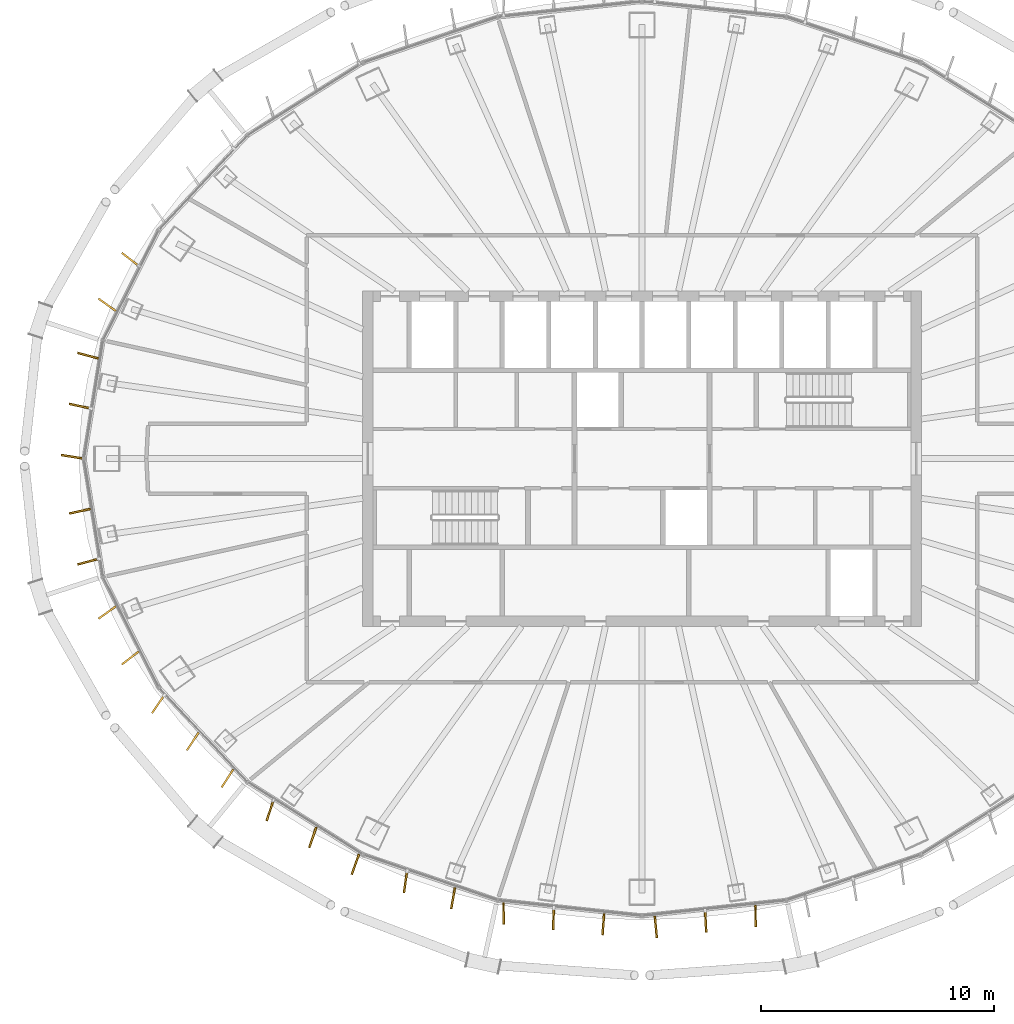
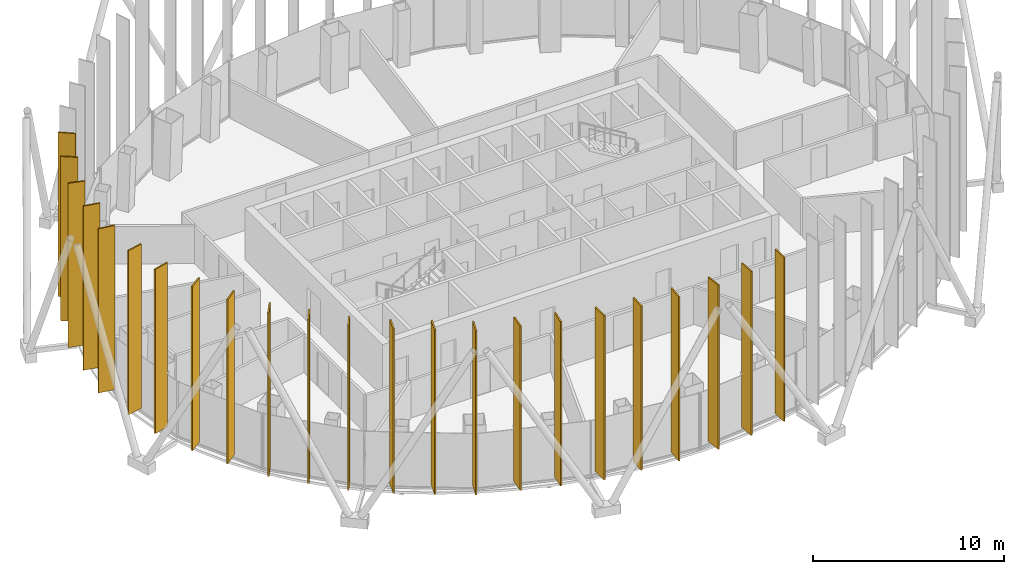
# One storey, part 15 of 18: 23 shading devices.
"""IFC4 building model written with IfcOpenShell, lengths in metres."""

from ifc_helpers import new_model, si_unit, direction, frame, origin, origin_2d, place, context, subcontext, project, spatial, rectangle, extrude, material, layer, layer_set, type_object, element, save


model = new_model("IFC4")

# Units and contexts
model_context = context("Model", 3, precision=1e-05, world=origin(), true_north=direction((0.0, 1.0)))
body_context = subcontext(model_context, "Body", "Model", "MODEL_VIEW")
ifc_project = project(units=[si_unit("LENGTHUNIT", "METRE"), si_unit("AREAUNIT", "SQUARE_METRE"), si_unit("VOLUMEUNIT", "CUBIC_METRE"), si_unit("PLANEANGLEUNIT", "RADIAN"), si_unit("MASSUNIT", "GRAM", prefix="KILO")], contexts=[model_context])

# Site, building, storey
site_placement = place(None, origin())
site = spatial("IfcSite", under=ifc_project, at=site_placement, CompositionType="ELEMENT")
building_placement = place(site_placement, origin())
building = spatial("IfcBuilding", under=site, at=building_placement, Name="Siaravel Broadcast Tower", CompositionType="ELEMENT")
storey_placement = place(building_placement, frame((0.0, 0.0, 157.10009765625)))
storey = spatial("IfcBuildingStorey", under=building, at=storey_placement, Name="L37", CompositionType="ELEMENT", Elevation=157.10009765625)

# Shading devices
ifc_material = material(Name="Bronze anodised aluminium", Category="aluminium")
ifc_layer = layer(ifc_material, 0.080078125)
ifc_layer_set = layer_set([ifc_layer], Name="Bronze anodised aluminium")
shading_device_type = type_object("IfcShadingDeviceType", Name="Bronze fin zone 3", PredefinedType="USERDEFINED", material=ifc_layer_set)
for number, where, z_axis, x_axis, name in (
    (1, (-21.98095703125, 8.5625, 0.2998046875), (0.0, 0.0, 1.0), (-0.792680301, 0.609637549, 0.0), "Bronze fin L37-28"),
    (2, (-22.971923828125, 6.60888671875, 0.2998046875), (0.0, 0.0, 1.0), (-0.815187443, 0.579197232, 0.0), "Bronze fin L37-29"),
    (3, (-23.794189453125, 4.424072265625, 0.2998046875), (0.0, 0.0, 1.0), (-0.965336099, 0.261009993, 0.0), "Bronze fin L37-30"),
    (4, (-24.14453125, 2.25537109375, 0.2998046875), (0.0, 0.0, 1.0), (-0.977421426, 0.211299208, 0.0), "Bronze fin L37-31"),
    (5, (-24.493896484375, 0.08544921875, 0.2998046875), (0.0, 0.0, 1.0), (-0.987329198, 0.158685394, 0.0), "Bronze fin L37-32"),
    (6, (-24.14453125, -2.25537109375, 0.2998046875), (0.0, 0.0, 1.0), (-0.977421426, -0.211299208, 0.0), "Bronze fin L37-33"),
    (7, (-23.794189453125, -4.424072265625, 0.2998046875), (0.0, 0.0, 1.0), (-0.965336099, -0.261009993, 0.0), "Bronze fin L37-34"),
    (8, (-22.971923828125, -6.60888671875, 0.2998046875), (0.0, 0.0, 1.0), (-0.815187443, -0.579197232, 0.0), "Bronze fin L37-35"),
    (9, (-21.98095703125, -8.5625, 0.2998046875), (0.0, 0.0, 1.0), (-0.792680301, -0.609637549, 0.0), "Bronze fin L37-36"),
    (10, (-20.78857421875, -10.552490234375, 0.2998046875), (0.0, 0.0, 1.0), (-0.566166005, -0.824291244, 0.0), "Bronze fin L37-37"),
    (11, (-19.295654296875, -12.143310546875, 0.2998046875), (0.0, 0.0, 1.0), (-0.550721136, -0.834689302, 0.0), "Bronze fin L37-38"),
    (12, (-17.806396484375, -13.731689453125, 0.2998046875), (0.0, 0.0, 1.0), (-0.543319518, -0.839525998, 0.0), "Bronze fin L37-39"),
    (13, (-15.978515625, -15.11328125, 0.2998046875), (0.0, 0.0, 1.0), (-0.31322845, -0.949677808, 0.0), "Bronze fin L37-40"),
    (14, (-14.142822265625, -16.268310546875, 0.2998046875), (0.0, 0.0, 1.0), (-0.323019003, -0.946392479, 0.0), "Bronze fin L37-41"),
    (15, (-12.31103515625, -17.421875, 0.2998046875), (0.0, 0.0, 1.0), (-0.340942391, -0.940084191, 0.0), "Bronze fin L37-42"),
    (16, (-10.159912109375, -18.184814453125, 0.2998046875), (0.0, 0.0, 1.0), (-0.139233593, -0.990259565, 0.0), "Bronze fin L37-43"),
    (17, (-8.116455078125, -18.880615234375, 0.2998046875), (0.0, 0.0, 1.0), (-0.171313543, -0.98521656, 0.0), "Bronze fin L37-44"),
    (18, (-5.94580078125, -19.533935546875, 0.2998046875), (0.0, 0.0, 1.0), (0.010075615, -0.99994924, 0.0), "Bronze fin L37-45"),
    (19, (-3.803955078125, -19.766845703125, 0.2998046875), (0.0, 0.0, 1.0), (-0.030693775, -0.999528835, 0.0), "Bronze fin L37-46"),
    (20, (-1.6630859375, -19.998779296875, 0.2998046875), (0.0, 0.0, 1.0), (-0.074178111, -0.997245009, 0.0), "Bronze fin L37-47"),
    (21, (0.5927734375, -20.114501953125, 0.2998046875), (0.0, 0.0, 1.0), (0.096236636, -0.995358483, 0.0), "Bronze fin L37-48"),
    (22, (2.7333984375, -19.8828125, 0.2998046875), (0.0, 0.0, 1.0), (0.052234866, -0.998634828, 0.0), "Bronze fin L37-49"),
    (23, (4.874755859375, -19.650390625, 0.2998046875), (0.0, 0.0, 1.0), (0.009836517, -0.99995162, 0.0), "Bronze fin L37-50"),
):
    element("IfcShadingDevice", number, at=place(storey_placement, frame(where, z_axis=z_axis, x_axis=x_axis)), inside=storey, type_object=shading_device_type, Name=name, ObjectType="FIN", PredefinedType="USERDEFINED", context=body_context, shape_type="SweptSolid", body=[
        extrude(rectangle(XDim=0.919921875, YDim=0.080078125, at=origin_2d()), origin(), (0.0, 0.0, 1.0), 10.5),
    ])

save(model, "model.ifc")
